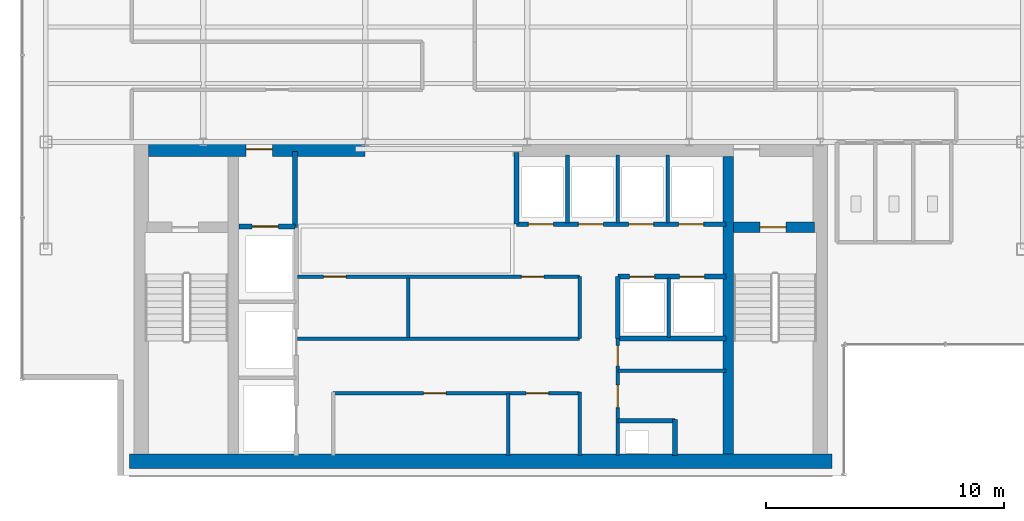
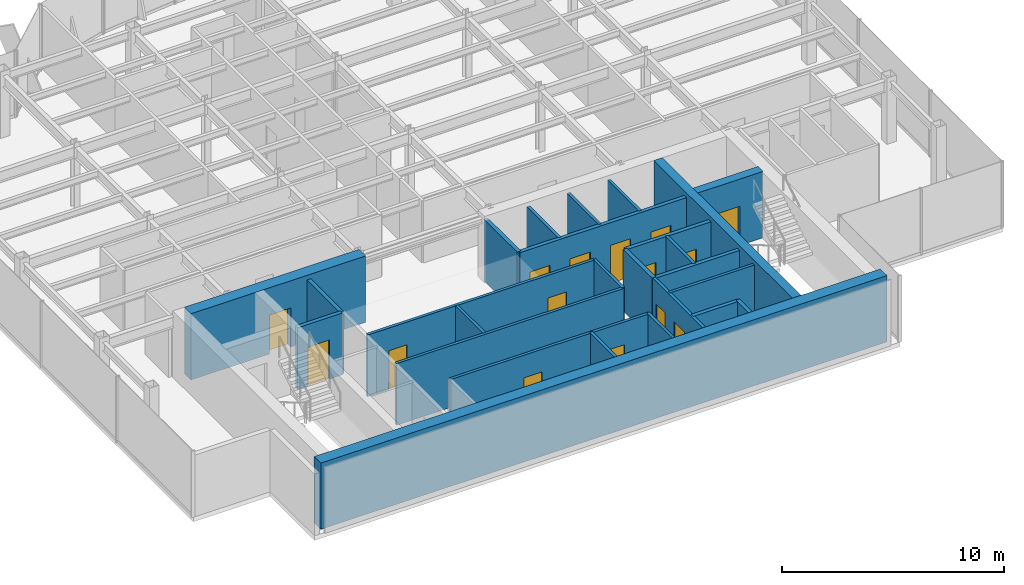
# One storey, part 17 of 22: 26 walls, 15 doors, 15 openings.
"""IFC4 building model written with IfcOpenShell, lengths in metres."""

from ifc_helpers import new_model, si_unit, derived_unit, direction, frame, frame_2d, origin, place, context, subcontext, project, spatial, rectangle, extrude, source, transform, mapped, material, layer, layer_set, type_object, element, fill, save


model = new_model("IFC4")

# Units and contexts
model_context = context("Model", 3, precision=1e-05, world=origin(), true_north=direction((0.0, 1.0)))
body_context = subcontext(model_context, "Body", "Model", "MODEL_VIEW")
ifc_project = project(units=[si_unit("LENGTHUNIT", "METRE"), si_unit("AREAUNIT", "SQUARE_METRE"), si_unit("VOLUMEUNIT", "CUBIC_METRE"), si_unit("PLANEANGLEUNIT", "RADIAN"), si_unit("MASSUNIT", "GRAM", prefix="KILO"), derived_unit("THERMALTRANSMITTANCEUNIT", [(si_unit("POWERUNIT", "WATT"), 1), (si_unit("LENGTHUNIT", "METRE"), -2), (si_unit("THERMODYNAMICTEMPERATUREUNIT", "KELVIN"), -1)])], contexts=[model_context])

# Site, building, storey
site_placement = place(None, origin())
site = spatial("IfcSite", under=ifc_project, at=site_placement, CompositionType="ELEMENT")
building_placement = place(site_placement, origin())
building = spatial("IfcBuilding", under=site, at=building_placement, Name="Skarnbrae Concourse Arena and Tower", CompositionType="ELEMENT")
storey_placement = place(building_placement, frame((0.0, 0.0, 228.75)))
storey = spatial("IfcBuildingStorey", under=building, at=storey_placement, Name="L59", CompositionType="ELEMENT", Elevation=228.75)

# Wall, opening, door
ifc_material_1 = material(Name="Concrete 50 MPa (C50/60)", Category="concrete")
ifc_layer_1 = layer(ifc_material_1, 0.449951171875)
ifc_layer_set_1 = layer_set([ifc_layer_1], Name="Concrete 50 MPa (C50/60)")
wall_type_1 = type_object("IfcWallType", Name="WALL-CORE-450-C50", PredefinedType="SHEAR", material=ifc_layer_set_1)
shared_shape_1 = source(origin(), body_context, "Body", "SweptSolid", [
    extrude(rectangle(XDim=3.389892578125, YDim=0.449951171875, at=frame_2d((1.69482421875, 0.0))), origin(), (0.0, 0.0, 1.0), 3.64990234375),
])
wall_1_placement = place(storey_placement, frame((29.860107421875, 10.419921875, 0.0), z_axis=(0.0, 0.0, 1.0), x_axis=(1.0, 0.0, 0.0)))
wall_1 = element("IfcWall", 1, at=wall_1_placement, inside=storey, type_object=wall_type_1, Name="L59 Rear core shear wall CW-ST2-N", PredefinedType="SHEAR", context=body_context, shape_type="MappedRepresentation", body=[
    mapped(shared_shape_1, transform((0.0, 0.0, 0.0))),
])
opening_1_placement = place(wall_1_placement, frame((1.10009765625, 0.0, 0.0)))
opening_1 = element("IfcOpeningElement", 2, at=opening_1_placement, cuts=wall_1, Name="Opening DT-03", PredefinedType="OPENING", context=body_context, shape_type="SweptSolid", body=[
    extrude(rectangle(XDim=1.10009765625, YDim=2.14990234375, at=frame_2d((0.550048828125, 1.074951171875))), frame((0.0, 0.23486328125, 0.0), z_axis=(0.0, -1.0, 0.0), x_axis=(1.0, 0.0, 0.0)), (0.0, 0.0, 1.0), 0.469970703125),
])
ifc_material_2 = material(Name="Steel CSA G40.21 350W", Category="steel")
door_type_1 = type_object("IfcDoorType", Name="DOOR-FIRE-1100-90M", OperationType="NOTDEFINED", PredefinedType="DOOR", material=ifc_material_2)
shared_shape_2 = source(origin(), body_context, "Body", "SweptSolid", [
    extrude(rectangle(XDim=1.10009765625, YDim=2.14990234375, at=frame_2d((0.550048828125, 1.074951171875))), frame((0.0, 0.02490234375, 0.0), z_axis=(0.0, -1.0, 0.0), x_axis=(1.0, 0.0, 0.0)), (0.0, 0.0, 1.0), 0.050048828125),
])
door_1_placement = place(opening_1_placement, frame((1.10009765625, 0.0, 0.0), z_axis=(0.0, 0.0, 1.0), x_axis=(-1.0, 0.0, 0.0)))
door_1 = element("IfcDoor", 3, at=door_1_placement, inside=storey, type_object=door_type_1, Name="D-1791 Stair ST-2 Door", OperationType="SINGLE_SWING_RIGHT", OverallHeight=2.14990234375, OverallWidth=1.10009765625, PredefinedType="DOOR", context=body_context, shape_type="MappedRepresentation", body=[
    mapped(shared_shape_2, transform((0.0, 0.0, 0.0))),
])
fill(opening_1, door_1)

# Wall
ifc_layer_2 = layer(ifc_material_1, 0.60009765625)
ifc_layer_set_2 = layer_set([ifc_layer_2], Name="Concrete 50 MPa (C50/60)")
wall_type_2 = type_object("IfcWallType", Name="WALL-CORE-600-C50", PredefinedType="SHEAR", material=ifc_layer_set_2)
shared_shape_3 = source(origin(), body_context, "Body", "SweptSolid", [
    extrude(rectangle(XDim=29.5, YDim=0.60009765625, at=frame_2d((14.75, 0.0))), origin(), (0.0, 0.0, 1.0), 3.64990234375),
])
wall_2_placement = place(storey_placement, frame((4.5, 0.60009765625, 0.0), z_axis=(0.0, 0.0, 1.0), x_axis=(1.0, 0.0, 0.0)))
element("IfcWall", 4, at=wall_2_placement, inside=storey, type_object=wall_type_2, Name="L59 Rear core shear wall CW-S", PredefinedType="SHEAR", context=body_context, shape_type="MappedRepresentation", body=[
    mapped(shared_shape_3, transform((0.0, 0.0, 0.0))),
])

# Wall, opening, door
shared_shape_4 = source(origin(), body_context, "Body", "SweptSolid", [
    extrude(rectangle(XDim=9.099853515625, YDim=0.60009765625, at=frame_2d((4.5498046875, 0.0))), origin(), (0.0, 0.0, 1.0), 3.64990234375),
])
wall_3_placement = place(storey_placement, frame((5.300048828125, 13.699951171875, 0.0), z_axis=(0.0, 0.0, 1.0), x_axis=(1.0, 0.0, 0.0)))
wall_3 = element("IfcWall", 5, at=wall_3_placement, inside=storey, type_object=wall_type_2, Name="L59 Rear core shear wall CW-NW", PredefinedType="SHEAR", context=body_context, shape_type="MappedRepresentation", body=[
    mapped(shared_shape_4, transform((0.0, 0.0, 0.0))),
])
opening_2_placement = place(wall_3_placement, frame((4.10009765625, 0.0, 0.0)))
opening_2 = element("IfcOpeningElement", 6, at=opening_2_placement, cuts=wall_3, Name="Opening DT-03", PredefinedType="OPENING", context=body_context, shape_type="SweptSolid", body=[
    extrude(rectangle(XDim=1.10009765625, YDim=2.14990234375, at=frame_2d((0.550048828125, 1.074951171875))), frame((0.0, 0.31005859375, 0.0), z_axis=(0.0, -1.0, 0.0), x_axis=(1.0, 0.0, 0.0)), (0.0, 0.0, 1.0), 0.6201171875),
])
door_2_placement = place(opening_2_placement, origin())
door_2 = element("IfcDoor", 7, at=door_2_placement, inside=storey, type_object=door_type_1, Name="D-1792 Firefighting Lobby Exit Door", OperationType="SINGLE_SWING_RIGHT", OverallHeight=2.14990234375, OverallWidth=1.10009765625, PredefinedType="DOOR", context=body_context, shape_type="MappedRepresentation", body=[
    mapped(shared_shape_2, transform((0.0, 0.0, 0.0))),
])
fill(opening_2, door_2)

# Walls
shared_shape_5 = source(origin(), body_context, "Body", "SweptSolid", [
    extrude(rectangle(XDim=12.5, YDim=0.449951171875, at=frame_2d((6.25, 0.0))), origin(), (0.0, 0.0, 1.0), 3.64990234375),
])
wall_4_placement = place(storey_placement, frame((29.635009765625, 0.89990234375, 0.0), z_axis=(0.0, 0.0, 1.0), x_axis=(0.0, 1.0, 0.0)))
element("IfcWall", 8, at=wall_4_placement, inside=storey, type_object=wall_type_1, Name="L59 Rear core shear wall CW-WEB-E", PredefinedType="SHEAR", context=body_context, shape_type="MappedRepresentation", body=[
    mapped(shared_shape_5, transform((0.0, 0.0, 0.0))),
])
ifc_material_3 = material(Name="Gypsum board on cold-formed steel studs", Category="steel")
ifc_layer_3 = layer(ifc_material_3, 0.199951171875)
ifc_layer_set_3 = layer_set([ifc_layer_3], Name="Gypsum board on cold-formed steel studs")
wall_type_3 = type_object("IfcWallType", Name="WALL-PART-200-2HR", PredefinedType="PARTITIONING", material=ifc_layer_set_3)
shared_shape_6 = source(origin(), body_context, "Body", "SweptSolid", [
    extrude(rectangle(XDim=3.18017578125, YDim=0.199951171875, at=frame_2d((1.590087890625, 0.0))), origin(), (0.0, 0.0, 1.0), 3.39990234375),
])
wall_5_placement = place(storey_placement, frame((11.449951171875, 10.419921875, 0.0), z_axis=(0.0, 0.0, 1.0), x_axis=(0.0, 1.0, 0.0)))
element("IfcWall", 9, at=wall_5_placement, inside=storey, type_object=wall_type_3, Name="L59 Interior partition wall W-L59-FFL-E", PredefinedType="PARTITIONING", context=body_context, shape_type="MappedRepresentation", body=[
    mapped(shared_shape_6, transform((0.0, 0.0, 0.0))),
])

# Wall, opening, door
shared_shape_7 = source(origin(), body_context, "Body", "SweptSolid", [
    extrude(rectangle(XDim=2.349853515625, YDim=0.199951171875, at=frame_2d((1.1748046875, 0.0))), origin(), (0.0, 0.0, 1.0), 3.39990234375),
])
wall_6_placement = place(storey_placement, frame((9.10009765625, 10.449951171875, 0.0), z_axis=(0.0, 0.0, 1.0), x_axis=(1.0, 0.0, 0.0)))
wall_6 = element("IfcWall", 10, at=wall_6_placement, inside=storey, type_object=wall_type_3, Name="L59 Interior partition wall W-L59-FL1-N", PredefinedType="PARTITIONING", context=body_context, shape_type="MappedRepresentation", body=[
    mapped(shared_shape_7, transform((0.0, 0.0, 0.0))),
])
opening_3_placement = place(wall_6_placement, frame((0.550048828125, 0.0, 0.0)))
opening_3 = element("IfcOpeningElement", 11, at=opening_3_placement, cuts=wall_6, Name="Opening LD-01", PredefinedType="OPENING", context=body_context, shape_type="SweptSolid", body=[
    extrude(rectangle(XDim=1.10009765625, YDim=2.14990234375, at=frame_2d((0.550048828125, 1.074951171875))), frame((0.0, 0.10986328125, 0.0), z_axis=(0.0, -1.0, 0.0), x_axis=(1.0, 0.0, 0.0)), (0.0, 0.0, 1.0), 0.219970703125),
])
door_type_2 = type_object("IfcDoorType", Name="DOOR-LIFT-SLIDE-1100", OperationType="SLIDING_TO_LEFT", PredefinedType="DOOR", material=ifc_material_2)
door_3_placement = place(opening_3_placement, origin())
door_3 = element("IfcDoor", 12, at=door_3_placement, inside=storey, type_object=door_type_2, Name="D-1794 Firefighting Lift Landing Door FL-01", OperationType="SLIDING_TO_LEFT", OverallHeight=2.14990234375, OverallWidth=1.10009765625, PredefinedType="DOOR", context=body_context, shape_type="MappedRepresentation", body=[
    mapped(shared_shape_2, transform((0.0, 0.0, 0.0))),
])
fill(opening_3, door_3)

# Walls
ifc_layer_4 = layer(ifc_material_3, 0.14990234375)
ifc_layer_set_4 = layer_set([ifc_layer_4], Name="Gypsum board on cold-formed steel studs")
wall_type_4 = type_object("IfcWallType", Name="WALL-PART-150", PredefinedType="PARTITIONING", material=ifc_layer_set_4)
shared_shape_8 = source(origin(), body_context, "Body", "SweptSolid", [
    extrude(rectangle(XDim=2.599853515625, YDim=0.14990234375, at=frame_2d((1.2998046875, 0.0))), origin(), (0.0, 0.0, 1.0), 3.39990234375),
])
wall_7_placement = place(storey_placement, frame((20.39990234375, 0.85009765625, 0.0), z_axis=(0.0, 0.0, 1.0), x_axis=(0.0, 1.0, 0.0)))
element("IfcWall", 13, at=wall_7_placement, inside=storey, type_object=wall_type_4, Name="L59 Interior partition wall W-L59-B1M-C1", PredefinedType="PARTITIONING", context=body_context, shape_type="MappedRepresentation", body=[
    mapped(shared_shape_8, transform((0.0, 0.0, 0.0))),
])
shared_shape_9 = source(origin(), body_context, "Body", "SweptSolid", [
    extrude(rectangle(XDim=2.60009765625, YDim=0.199951171875, at=frame_2d((1.300048828125, 0.0))), origin(), (0.0, 0.0, 1.0), 3.39990234375),
])
wall_8_placement = place(storey_placement, frame((25.0, 5.75, 0.0), z_axis=(0.0, 0.0, 1.0), x_axis=(0.0, 1.0, 0.0)))
element("IfcWall", 14, at=wall_8_placement, inside=storey, type_object=wall_type_3, Name="L59 Interior partition wall W-L59-B3S-W", PredefinedType="PARTITIONING", context=body_context, shape_type="MappedRepresentation", body=[
    mapped(shared_shape_9, transform((0.0, 0.0, 0.0))),
])
shared_shape_10 = source(origin(), body_context, "Body", "SweptSolid", [
    extrude(rectangle(XDim=2.5, YDim=0.14990234375, at=frame_2d((1.25, 0.0))), origin(), (0.0, 0.0, 1.0), 3.39990234375),
])
for number, where, z_axis, x_axis, name in (
    (15, (16.199951171875, 5.800048828125, 0.0), (0.0, 0.0, 1.0), (0.0, 1.0, 0.0), "L59 Interior partition wall W-L59-B2M-MID"),
    (16, (27.139892578125, 5.800048828125, 0.0), (0.0, 0.0, 1.0), (0.0, 1.0, 0.0), "L59 Interior partition wall W-L59-B3S-P1"),
):
    element("IfcWall", number, at=place(storey_placement, frame(where, z_axis=z_axis, x_axis=x_axis)), inside=storey, type_object=wall_type_4, Name=name, PredefinedType="PARTITIONING", context=body_context, shape_type="MappedRepresentation", body=[
        mapped(shared_shape_10, transform((0.0, 0.0, 0.0))),
    ])

# Wall, openings, doors
shared_shape_11 = source(origin(), body_context, "Body", "SweptSolid", [
    extrude(rectangle(XDim=8.800048828125, YDim=0.199951171875, at=frame_2d((4.39990234375, 0.0))), origin(), (0.0, 0.0, 1.0), 3.39990234375),
])
wall_9_placement = place(storey_placement, frame((20.75, 10.550048828125, 0.0), z_axis=(0.0, 0.0, 1.0), x_axis=(1.0, 0.0, 0.0)))
wall_9 = element("IfcWall", 17, at=wall_9_placement, inside=storey, type_object=wall_type_3, Name="L59 Interior partition wall W-L59-B3N-S", PredefinedType="PARTITIONING", context=body_context, shape_type="MappedRepresentation", body=[
    mapped(shared_shape_11, transform((0.0, 0.0, 0.0))),
])
opening_4_placement = place(wall_9_placement, frame((0.5, 0.0, 0.0)))
opening_4 = element("IfcOpeningElement", 18, at=opening_4_placement, cuts=wall_9, Name="Opening LD-04", PredefinedType="OPENING", context=body_context, shape_type="SweptSolid", body=[
    extrude(rectangle(XDim=1.050048828125, YDim=2.14990234375, at=frame_2d((0.52490234375, 1.074951171875))), frame((0.0, 0.10986328125, 0.0), z_axis=(0.0, -1.0, 0.0), x_axis=(1.0, 0.0, 0.0)), (0.0, 0.0, 1.0), 0.219970703125),
])
opening_5_placement = place(wall_9_placement, frame((2.60009765625, 0.0, 0.0)))
opening_5 = element("IfcOpeningElement", 19, at=opening_5_placement, cuts=wall_9, Name="Opening LD-04", PredefinedType="OPENING", context=body_context, shape_type="SweptSolid", body=[
    extrude(rectangle(XDim=1.050048828125, YDim=2.14990234375, at=frame_2d((0.52490234375, 1.074951171875))), frame((0.0, 0.10986328125, 0.0), z_axis=(0.0, -1.0, 0.0), x_axis=(1.0, 0.0, 0.0)), (0.0, 0.0, 1.0), 0.219970703125),
])
opening_6_placement = place(wall_9_placement, frame((4.699951171875, 0.0, 0.0)))
opening_6 = element("IfcOpeningElement", 20, at=opening_6_placement, cuts=wall_9, Name="Opening LD-04", PredefinedType="OPENING", context=body_context, shape_type="SweptSolid", body=[
    extrude(rectangle(XDim=1.050048828125, YDim=2.14990234375, at=frame_2d((0.52490234375, 1.074951171875))), frame((0.0, 0.10986328125, 0.0), z_axis=(0.0, -1.0, 0.0), x_axis=(1.0, 0.0, 0.0)), (0.0, 0.0, 1.0), 0.219970703125),
])
opening_7_placement = place(wall_9_placement, frame((6.800048828125, 0.0, 0.0)))
opening_7 = element("IfcOpeningElement", 21, at=opening_7_placement, cuts=wall_9, Name="Opening LD-04", PredefinedType="OPENING", context=body_context, shape_type="SweptSolid", body=[
    extrude(rectangle(XDim=1.050048828125, YDim=2.14990234375, at=frame_2d((0.52490234375, 1.074951171875))), frame((0.0, 0.10986328125, 0.0), z_axis=(0.0, -1.0, 0.0), x_axis=(1.0, 0.0, 0.0)), (0.0, 0.0, 1.0), 0.219970703125),
])
ifc_material_4 = material(Name="Bronze anodised aluminium 6063-T6", Category="aluminium")
door_type_3 = type_object("IfcDoorType", Name="DOOR-LIFT-SLIDE-1050H", OperationType="SLIDING_TO_LEFT", PredefinedType="DOOR", material=ifc_material_4)
shared_shape_12 = source(origin(), body_context, "Body", "SweptSolid", [
    extrude(rectangle(XDim=1.050048828125, YDim=2.14990234375, at=frame_2d((0.52490234375, 1.074951171875))), frame((0.0, 0.02490234375, 0.0), z_axis=(0.0, -1.0, 0.0), x_axis=(1.0, 0.0, 0.0)), (0.0, 0.0, 1.0), 0.050048828125),
])
door_4_placement = place(opening_4_placement, frame((1.050048828125, 0.0, 0.0), z_axis=(0.0, 0.0, 1.0), x_axis=(-1.0, 0.0, 0.0)))
door_4 = element("IfcDoor", 22, at=door_4_placement, inside=storey, type_object=door_type_3, Name="D-1801 Passenger Lift Landing Door PL-3A", OperationType="SLIDING_TO_LEFT", OverallHeight=2.14990234375, OverallWidth=1.050048828125, PredefinedType="DOOR", context=body_context, shape_type="MappedRepresentation", body=[
    mapped(shared_shape_12, transform((0.0, 0.0, 0.0))),
])
fill(opening_4, door_4)
door_5_placement = place(opening_5_placement, frame((1.050048828125, 0.0, 0.0), z_axis=(0.0, 0.0, 1.0), x_axis=(-1.0, 0.0, 0.0)))
door_5 = element("IfcDoor", 23, at=door_5_placement, inside=storey, type_object=door_type_3, Name="D-1802 Passenger Lift Landing Door PL-3B", OperationType="SLIDING_TO_LEFT", OverallHeight=2.14990234375, OverallWidth=1.050048828125, PredefinedType="DOOR", context=body_context, shape_type="MappedRepresentation", body=[
    mapped(shared_shape_12, transform((0.0, 0.0, 0.0))),
])
fill(opening_5, door_5)
door_6_placement = place(opening_6_placement, frame((1.050048828125, 0.0, 0.0), z_axis=(0.0, 0.0, 1.0), x_axis=(-1.0, 0.0, 0.0)))
door_6 = element("IfcDoor", 24, at=door_6_placement, inside=storey, type_object=door_type_3, Name="D-1803 Passenger Lift Landing Door PL-3C", OperationType="SLIDING_TO_LEFT", OverallHeight=2.14990234375, OverallWidth=1.050048828125, PredefinedType="DOOR", context=body_context, shape_type="MappedRepresentation", body=[
    mapped(shared_shape_12, transform((0.0, 0.0, 0.0))),
])
fill(opening_6, door_6)
door_7_placement = place(opening_7_placement, frame((1.050048828125, 0.0, 0.0), z_axis=(0.0, 0.0, 1.0), x_axis=(-1.0, 0.0, 0.0)))
door_7 = element("IfcDoor", 25, at=door_7_placement, inside=storey, type_object=door_type_3, Name="D-1804 Passenger Lift Landing Door PL-3D", OperationType="SLIDING_TO_LEFT", OverallHeight=2.14990234375, OverallWidth=1.050048828125, PredefinedType="DOOR", context=body_context, shape_type="MappedRepresentation", body=[
    mapped(shared_shape_12, transform((0.0, 0.0, 0.0))),
])
fill(opening_7, door_7)

# Walls
shared_shape_13 = source(origin(), body_context, "Body", "SweptSolid", [
    extrude(rectangle(XDim=3.0, YDim=0.199951171875, at=frame_2d((1.5, 0.0))), origin(), (0.0, 0.0, 1.0), 3.39990234375),
])
wall_10_placement = place(storey_placement, frame((20.75, 10.550048828125, 0.0), z_axis=(0.0, 0.0, 1.0), x_axis=(0.0, 1.0, 0.0)))
element("IfcWall", 26, at=wall_10_placement, inside=storey, type_object=wall_type_3, Name="L59 Interior partition wall W-L59-B3N-W", PredefinedType="PARTITIONING", context=body_context, shape_type="MappedRepresentation", body=[
    mapped(shared_shape_13, transform((0.0, 0.0, 0.0))),
])
shared_shape_14 = source(origin(), body_context, "Body", "SweptSolid", [
    extrude(rectangle(XDim=2.849853515625, YDim=0.14990234375, at=frame_2d((1.4248046875, 0.0))), origin(), (0.0, 0.0, 1.0), 3.39990234375),
])
for number, where, z_axis, x_axis, name in (
    (27, (22.889892578125, 10.60009765625, 0.0), (0.0, 0.0, 1.0), (0.0, 1.0, 0.0), "L59 Interior partition wall W-L59-B3N-P1"),
    (28, (24.989990234375, 10.60009765625, 0.0), (0.0, 0.0, 1.0), (0.0, 1.0, 0.0), "L59 Interior partition wall W-L59-B3N-P2"),
    (29, (27.090087890625, 10.60009765625, 0.0), (0.0, 0.0, 1.0), (0.0, 1.0, 0.0), "L59 Interior partition wall W-L59-B3N-P3"),
):
    element("IfcWall", number, at=place(storey_placement, frame(where, z_axis=z_axis, x_axis=x_axis)), inside=storey, type_object=wall_type_4, Name=name, PredefinedType="PARTITIONING", context=body_context, shape_type="MappedRepresentation", body=[
        mapped(shared_shape_14, transform((0.0, 0.0, 0.0))),
    ])

# Wall, openings, doors
shared_shape_15 = source(origin(), body_context, "Body", "SweptSolid", [
    extrude(rectangle(XDim=4.550048828125, YDim=0.199951171875, at=frame_2d((2.27490234375, 0.0))), origin(), (0.0, 0.0, 1.0), 3.39990234375),
])
wall_11_placement = place(storey_placement, frame((25.0, 8.35009765625, 0.0), z_axis=(0.0, 0.0, 1.0), x_axis=(1.0, 0.0, 0.0)))
wall_11 = element("IfcWall", 30, at=wall_11_placement, inside=storey, type_object=wall_type_3, Name="L59 Interior partition wall W-L59-B3S-N", PredefinedType="PARTITIONING", context=body_context, shape_type="MappedRepresentation", body=[
    mapped(shared_shape_15, transform((0.0, 0.0, 0.0))),
])
opening_8_placement = place(wall_11_placement, frame((0.5, 0.0, 0.0)))
opening_8 = element("IfcOpeningElement", 31, at=opening_8_placement, cuts=wall_11, Name="Opening LD-04", PredefinedType="OPENING", context=body_context, shape_type="SweptSolid", body=[
    extrude(rectangle(XDim=1.050048828125, YDim=2.14990234375, at=frame_2d((0.52490234375, 1.074951171875))), frame((0.0, 0.10986328125, 0.0), z_axis=(0.0, -1.0, 0.0), x_axis=(1.0, 0.0, 0.0)), (0.0, 0.0, 1.0), 0.219970703125),
])
opening_9_placement = place(wall_11_placement, frame((2.60009765625, 0.0, 0.0)))
opening_9 = element("IfcOpeningElement", 32, at=opening_9_placement, cuts=wall_11, Name="Opening LD-04", PredefinedType="OPENING", context=body_context, shape_type="SweptSolid", body=[
    extrude(rectangle(XDim=1.050048828125, YDim=2.14990234375, at=frame_2d((0.52490234375, 1.074951171875))), frame((0.0, 0.10986328125, 0.0), z_axis=(0.0, -1.0, 0.0), x_axis=(1.0, 0.0, 0.0)), (0.0, 0.0, 1.0), 0.219970703125),
])
door_8_placement = place(opening_8_placement, origin())
door_8 = element("IfcDoor", 33, at=door_8_placement, inside=storey, type_object=door_type_3, Name="D-1805 Passenger Lift Landing Door PL-3E", OperationType="SLIDING_TO_LEFT", OverallHeight=2.14990234375, OverallWidth=1.050048828125, PredefinedType="DOOR", context=body_context, shape_type="MappedRepresentation", body=[
    mapped(shared_shape_12, transform((0.0, 0.0, 0.0))),
])
fill(opening_8, door_8)
door_9_placement = place(opening_9_placement, origin())
door_9 = element("IfcDoor", 34, at=door_9_placement, inside=storey, type_object=door_type_3, Name="D-1806 Passenger Lift Landing Door PL-3F", OperationType="SLIDING_TO_LEFT", OverallHeight=2.14990234375, OverallWidth=1.050048828125, PredefinedType="DOOR", context=body_context, shape_type="MappedRepresentation", body=[
    mapped(shared_shape_12, transform((0.0, 0.0, 0.0))),
])
fill(opening_9, door_9)

# Wall
wall_12_placement = place(storey_placement, frame((25.0, 5.75, 0.0), z_axis=(0.0, 0.0, 1.0), x_axis=(1.0, 0.0, 0.0)))
element("IfcWall", 35, at=wall_12_placement, inside=storey, type_object=wall_type_3, Name="L59 Interior partition wall W-L59-B3S-S", PredefinedType="PARTITIONING", context=body_context, shape_type="MappedRepresentation", body=[
    mapped(shared_shape_15, transform((0.0, 0.0, 0.0))),
])

# Wall, openings, doors
ifc_layer_5 = layer(ifc_material_3, 0.14990234375)
ifc_layer_set_5 = layer_set([ifc_layer_5], Name="Gypsum board on cold-formed steel studs")
wall_type_5 = type_object("IfcWallType", Name="WALL-PART-150-1HR", PredefinedType="PARTITIONING", material=ifc_layer_set_5)
shared_shape_16 = source(origin(), body_context, "Body", "SweptSolid", [
    extrude(rectangle(XDim=4.89990234375, YDim=0.14990234375, at=frame_2d((2.449951171875, 0.0))), origin(), (0.0, 0.0, 1.0), 3.39990234375),
])
wall_13_placement = place(storey_placement, frame((25.0, 0.85009765625, 0.0), z_axis=(0.0, 0.0, 1.0), x_axis=(0.0, 1.0, 0.0)))
wall_13 = element("IfcWall", 36, at=wall_13_placement, inside=storey, type_object=wall_type_5, Name="L59 Interior partition wall W-L59-CSV-W", PredefinedType="PARTITIONING", context=body_context, shape_type="MappedRepresentation", body=[
    mapped(shared_shape_16, transform((0.0, 0.0, 0.0))),
])
opening_10_placement = place(wall_13_placement, frame((2.0, 0.0, 0.0)))
opening_10 = element("IfcOpeningElement", 37, at=opening_10_placement, cuts=wall_13, Name="Opening DT-04", PredefinedType="OPENING", context=body_context, shape_type="SweptSolid", body=[
    extrude(rectangle(XDim=0.949951171875, YDim=2.14990234375, at=frame_2d((0.47509765625, 1.074951171875))), frame((0.0, 0.0849609375, 0.0), z_axis=(0.0, -1.0, 0.0), x_axis=(1.0, 0.0, 0.0)), (0.0, 0.0, 1.0), 0.169921875),
])
opening_11_placement = place(wall_13_placement, frame((3.75, 0.0, 0.0)))
opening_11 = element("IfcOpeningElement", 38, at=opening_11_placement, cuts=wall_13, Name="Opening DT-08", PredefinedType="OPENING", context=body_context, shape_type="SweptSolid", body=[
    extrude(rectangle(XDim=0.85009765625, YDim=2.14990234375, at=frame_2d((0.425048828125, 1.074951171875))), frame((0.0, 0.0849609375, 0.0), z_axis=(0.0, -1.0, 0.0), x_axis=(1.0, 0.0, 0.0)), (0.0, 0.0, 1.0), 0.169921875),
])
door_type_4 = type_object("IfcDoorType", Name="DOOR-INT-950-45M", OperationType="NOTDEFINED", PredefinedType="DOOR", material=ifc_material_2)
shared_shape_17 = source(origin(), body_context, "Body", "SweptSolid", [
    extrude(rectangle(XDim=0.949951171875, YDim=2.14990234375, at=frame_2d((0.47509765625, 1.074951171875))), frame((0.0, 0.02490234375, 0.0), z_axis=(0.0, -1.0, 0.0), x_axis=(1.0, 0.0, 0.0)), (0.0, 0.0, 1.0), 0.050048828125),
])
door_10_placement = place(opening_10_placement, origin())
door_10 = element("IfcDoor", 39, at=door_10_placement, inside=storey, type_object=door_type_4, Name="D-1807 Telemetry Room Door", OperationType="SINGLE_SWING_LEFT", OverallHeight=2.14990234375, OverallWidth=0.949951171875, PredefinedType="DOOR", context=body_context, shape_type="MappedRepresentation", body=[
    mapped(shared_shape_17, transform((0.0, 0.0, 0.0))),
])
fill(opening_10, door_10)
door_type_5 = type_object("IfcDoorType", Name="DOOR-INT-850-45M", OperationType="NOTDEFINED", PredefinedType="DOOR", material=ifc_material_2)
shared_shape_18 = source(origin(), body_context, "Body", "SweptSolid", [
    extrude(rectangle(XDim=0.85009765625, YDim=2.14990234375, at=frame_2d((0.425048828125, 1.074951171875))), frame((0.0, 0.02490234375, 0.0), z_axis=(0.0, -1.0, 0.0), x_axis=(1.0, 0.0, 0.0)), (0.0, 0.0, 1.0), 0.050048828125),
])
door_11_placement = place(opening_11_placement, origin())
door_11 = element("IfcDoor", 40, at=door_11_placement, inside=storey, type_object=door_type_5, Name="D-1808 Recycling Room Door", OperationType="SINGLE_SWING_RIGHT", OverallHeight=2.14990234375, OverallWidth=0.85009765625, PredefinedType="DOOR", context=body_context, shape_type="MappedRepresentation", body=[
    mapped(shared_shape_18, transform((0.0, 0.0, 0.0))),
])
fill(opening_11, door_11)

# Walls
shared_shape_19 = source(origin(), body_context, "Body", "SweptSolid", [
    extrude(rectangle(XDim=2.39990234375, YDim=0.199951171875, at=frame_2d((1.199951171875, 0.0))), origin(), (0.0, 0.0, 1.0), 3.39990234375),
])
wall_14_placement = place(storey_placement, frame((25.0, 2.300048828125, 0.0), z_axis=(0.0, 0.0, 1.0), x_axis=(1.0, 0.0, 0.0)))
element("IfcWall", 41, at=wall_14_placement, inside=storey, type_object=wall_type_3, Name="L59 Interior partition wall W-L59-MEP-N", PredefinedType="PARTITIONING", context=body_context, shape_type="MappedRepresentation", body=[
    mapped(shared_shape_19, transform((0.0, 0.0, 0.0))),
])
shared_shape_20 = source(origin(), body_context, "Body", "SweptSolid", [
    extrude(rectangle(XDim=1.5, YDim=0.199951171875, at=frame_2d((0.75, 0.0))), origin(), (0.0, 0.0, 1.0), 3.39990234375),
])
wall_15_placement = place(storey_placement, frame((27.39990234375, 0.85009765625, 0.0), z_axis=(0.0, 0.0, 1.0), x_axis=(0.0, 1.0, 0.0)))
element("IfcWall", 42, at=wall_15_placement, inside=storey, type_object=wall_type_3, Name="L59 Interior partition wall W-L59-MEP-E", PredefinedType="PARTITIONING", context=body_context, shape_type="MappedRepresentation", body=[
    mapped(shared_shape_20, transform((0.0, 0.0, 0.0))),
])
shared_shape_21 = source(origin(), body_context, "Body", "SweptSolid", [
    extrude(rectangle(XDim=4.550048828125, YDim=0.14990234375, at=frame_2d((2.27490234375, 0.0))), origin(), (0.0, 0.0, 1.0), 3.39990234375),
])
wall_16_placement = place(storey_placement, frame((25.0, 4.39990234375, 0.0), z_axis=(0.0, 0.0, 1.0), x_axis=(1.0, 0.0, 0.0)))
element("IfcWall", 43, at=wall_16_placement, inside=storey, type_object=wall_type_4, Name="L59 Interior partition wall W-L59-CSV-H", PredefinedType="PARTITIONING", context=body_context, shape_type="MappedRepresentation", body=[
    mapped(shared_shape_21, transform((0.0, 0.0, 0.0))),
])
shared_shape_22 = source(origin(), body_context, "Body", "SweptSolid", [
    extrude(rectangle(XDim=2.64990234375, YDim=0.14990234375, at=frame_2d((1.324951171875, 0.0))), origin(), (0.0, 0.0, 1.0), 3.39990234375),
])
wall_17_placement = place(storey_placement, frame((23.39990234375, 0.85009765625, 0.0), z_axis=(0.0, 0.0, 1.0), x_axis=(0.0, 1.0, 0.0)))
element("IfcWall", 44, at=wall_17_placement, inside=storey, type_object=wall_type_5, Name="L59 Interior partition wall W-L59-B1M-E", PredefinedType="PARTITIONING", context=body_context, shape_type="MappedRepresentation", body=[
    mapped(shared_shape_22, transform((0.0, 0.0, 0.0))),
])

# Wall, openings, doors
shared_shape_23 = source(origin(), body_context, "Body", "SweptSolid", [
    extrude(rectangle(XDim=10.349853515625, YDim=0.14990234375, at=frame_2d((5.1748046875, 0.0))), origin(), (0.0, 0.0, 1.0), 3.39990234375),
])
wall_18_placement = place(storey_placement, frame((13.050048828125, 3.449951171875, 0.0), z_axis=(0.0, 0.0, 1.0), x_axis=(1.0, 0.0, 0.0)))
wall_18 = element("IfcWall", 45, at=wall_18_placement, inside=storey, type_object=wall_type_5, Name="L59 Interior partition wall W-L59-B1M-N", PredefinedType="PARTITIONING", context=body_context, shape_type="MappedRepresentation", body=[
    mapped(shared_shape_23, transform((0.0, 0.0, 0.0))),
])
opening_12_placement = place(wall_18_placement, frame((3.800048828125, 0.0, 0.0)))
opening_12 = element("IfcOpeningElement", 46, at=opening_12_placement, cuts=wall_18, Name="Opening DT-04", PredefinedType="OPENING", context=body_context, shape_type="SweptSolid", body=[
    extrude(rectangle(XDim=0.949951171875, YDim=2.14990234375, at=frame_2d((0.47509765625, 1.074951171875))), frame((0.0, 0.0849609375, 0.0), z_axis=(0.0, -1.0, 0.0), x_axis=(1.0, 0.0, 0.0)), (0.0, 0.0, 1.0), 0.169921875),
])
opening_13_placement = place(wall_18_placement, frame((8.10009765625, 0.0, 0.0)))
opening_13 = element("IfcOpeningElement", 47, at=opening_13_placement, cuts=wall_18, Name="Opening DT-04", PredefinedType="OPENING", context=body_context, shape_type="SweptSolid", body=[
    extrude(rectangle(XDim=0.949951171875, YDim=2.14990234375, at=frame_2d((0.47509765625, 1.074951171875))), frame((0.0, 0.0849609375, 0.0), z_axis=(0.0, -1.0, 0.0), x_axis=(1.0, 0.0, 0.0)), (0.0, 0.0, 1.0), 0.169921875),
])
door_12_placement = place(opening_12_placement, origin())
door_12 = element("IfcDoor", 48, at=door_12_placement, inside=storey, type_object=door_type_4, Name="D-1797 Staff Locker Door", OperationType="SINGLE_SWING_LEFT", OverallHeight=2.14990234375, OverallWidth=0.949951171875, PredefinedType="DOOR", context=body_context, shape_type="MappedRepresentation", body=[
    mapped(shared_shape_17, transform((0.0, 0.0, 0.0))),
])
fill(opening_12, door_12)
door_13_placement = place(opening_13_placement, origin())
door_13 = element("IfcDoor", 49, at=door_13_placement, inside=storey, type_object=door_type_4, Name="D-1798 Janitor Store Door", OperationType="SINGLE_SWING_RIGHT", OverallHeight=2.14990234375, OverallWidth=0.949951171875, PredefinedType="DOOR", context=body_context, shape_type="MappedRepresentation", body=[
    mapped(shared_shape_17, transform((0.0, 0.0, 0.0))),
])
fill(opening_13, door_13)

# Wall
shared_shape_24 = source(origin(), body_context, "Body", "SweptSolid", [
    extrude(rectangle(XDim=11.849853515625, YDim=0.14990234375, at=frame_2d((5.9248046875, 0.0))), origin(), (0.0, 0.0, 1.0), 3.39990234375),
])
wall_19_placement = place(storey_placement, frame((11.550048828125, 5.75, 0.0), z_axis=(0.0, 0.0, 1.0), x_axis=(1.0, 0.0, 0.0)))
element("IfcWall", 50, at=wall_19_placement, inside=storey, type_object=wall_type_5, Name="L59 Interior partition wall W-L59-B2M-S", PredefinedType="PARTITIONING", context=body_context, shape_type="MappedRepresentation", body=[
    mapped(shared_shape_24, transform((0.0, 0.0, 0.0))),
])

# Wall, openings, doors
wall_20_placement = place(storey_placement, frame((11.550048828125, 8.35009765625, 0.0), z_axis=(0.0, 0.0, 1.0), x_axis=(1.0, 0.0, 0.0)))
wall_20 = element("IfcWall", 51, at=wall_20_placement, inside=storey, type_object=wall_type_5, Name="L59 Interior partition wall W-L59-B2M-N", PredefinedType="PARTITIONING", context=body_context, shape_type="MappedRepresentation", body=[
    mapped(shared_shape_24, transform((0.0, 0.0, 0.0))),
])
opening_14_placement = place(wall_20_placement, frame((1.10009765625, 0.0, 0.0)))
opening_14 = element("IfcOpeningElement", 52, at=opening_14_placement, cuts=wall_20, Name="Opening DT-04", PredefinedType="OPENING", context=body_context, shape_type="SweptSolid", body=[
    extrude(rectangle(XDim=0.949951171875, YDim=2.14990234375, at=frame_2d((0.47509765625, 1.074951171875))), frame((0.0, 0.0849609375, 0.0), z_axis=(0.0, -1.0, 0.0), x_axis=(1.0, 0.0, 0.0)), (0.0, 0.0, 1.0), 0.169921875),
])
opening_15_placement = place(wall_20_placement, frame((9.39990234375, 0.0, 0.0)))
opening_15 = element("IfcOpeningElement", 53, at=opening_15_placement, cuts=wall_20, Name="Opening DT-04", PredefinedType="OPENING", context=body_context, shape_type="SweptSolid", body=[
    extrude(rectangle(XDim=0.949951171875, YDim=2.14990234375, at=frame_2d((0.47509765625, 1.074951171875))), frame((0.0, 0.0849609375, 0.0), z_axis=(0.0, -1.0, 0.0), x_axis=(1.0, 0.0, 0.0)), (0.0, 0.0, 1.0), 0.169921875),
])
door_14_placement = place(opening_14_placement, origin())
door_14 = element("IfcDoor", 54, at=door_14_placement, inside=storey, type_object=door_type_4, Name="D-1799 High-Zone Data Door", OperationType="SINGLE_SWING_RIGHT", OverallHeight=2.14990234375, OverallWidth=0.949951171875, PredefinedType="DOOR", context=body_context, shape_type="MappedRepresentation", body=[
    mapped(shared_shape_17, transform((0.0, 0.0, 0.0))),
])
fill(opening_14, door_14)
door_15_placement = place(opening_15_placement, origin())
door_15 = element("IfcDoor", 55, at=door_15_placement, inside=storey, type_object=door_type_4, Name="D-1800 Reprographics Door", OperationType="SINGLE_SWING_LEFT", OverallHeight=2.14990234375, OverallWidth=0.949951171875, PredefinedType="DOOR", context=body_context, shape_type="MappedRepresentation", body=[
    mapped(shared_shape_17, transform((0.0, 0.0, 0.0))),
])
fill(opening_15, door_15)

# Wall
shared_shape_25 = source(origin(), body_context, "Body", "SweptSolid", [
    extrude(rectangle(XDim=2.60009765625, YDim=0.14990234375, at=frame_2d((1.300048828125, 0.0))), origin(), (0.0, 0.0, 1.0), 3.39990234375),
])
wall_21_placement = place(storey_placement, frame((23.39990234375, 5.75, 0.0), z_axis=(0.0, 0.0, 1.0), x_axis=(0.0, 1.0, 0.0)))
element("IfcWall", 56, at=wall_21_placement, inside=storey, type_object=wall_type_5, Name="L59 Interior partition wall W-L59-B2M-E", PredefinedType="PARTITIONING", context=body_context, shape_type="MappedRepresentation", body=[
    mapped(shared_shape_25, transform((0.0, 0.0, 0.0))),
])

save(model, "model.ifc")
